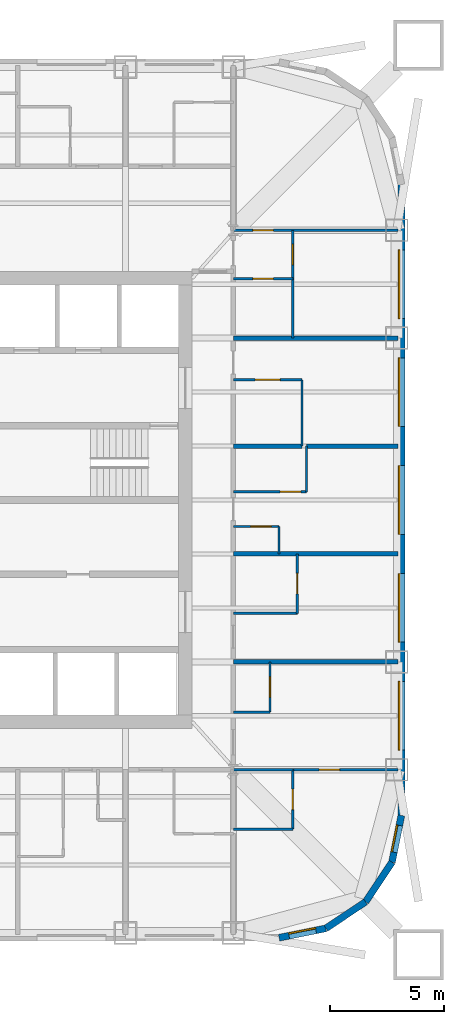
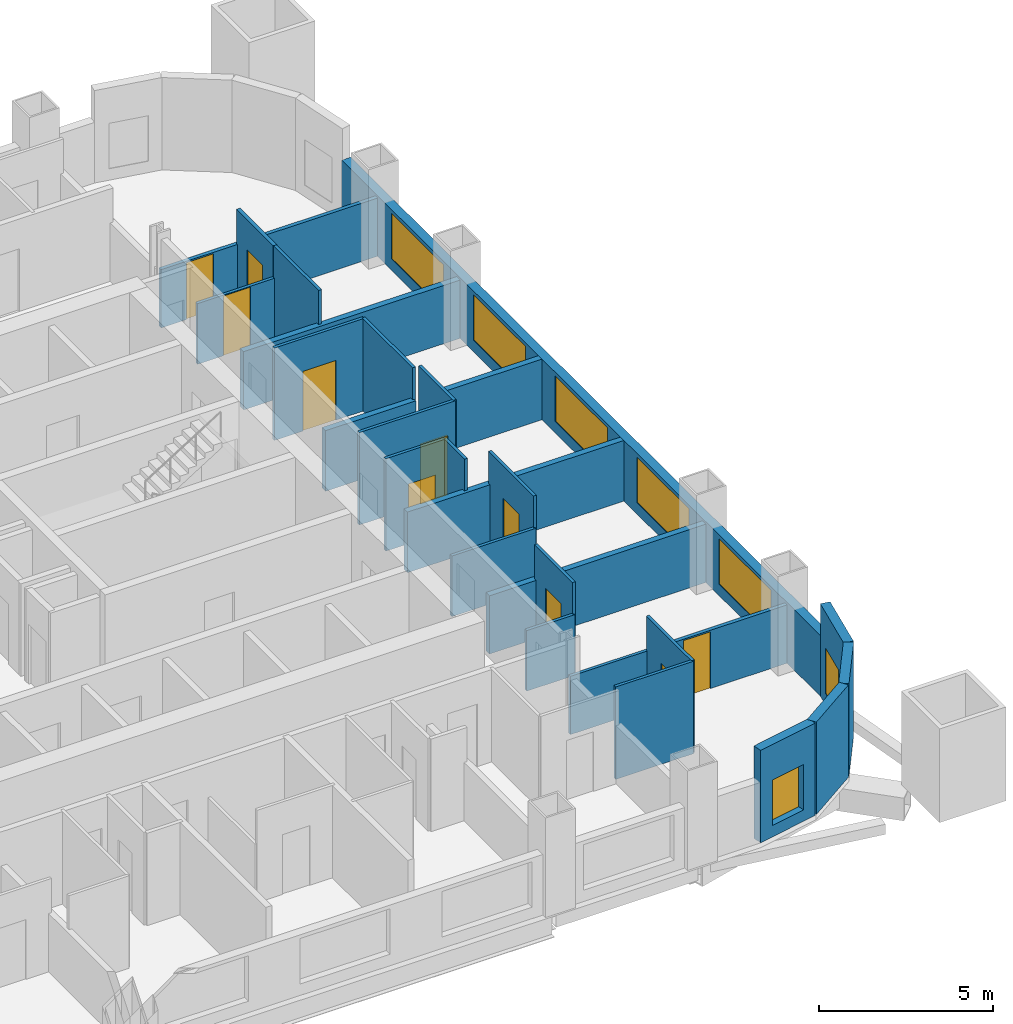
# One storey, part 6 of 9: 28 walls, 10 doors, 7 windows, 17 openings.
"""IFC4 building model written with IfcOpenShell, lengths in metres."""

from ifc_helpers import new_model, si_unit, direction, frame, frame_2d, origin, place, context, subcontext, project, spatial, rectangle, extrude, material, layer, layer_set, type_object, element, fill, save


model = new_model("IFC4")

# Units and contexts
model_context = context("Model", 3, precision=1e-05, world=origin(), true_north=direction((0.0, 1.0)))
body_context = subcontext(model_context, "Body", "Model", "MODEL_VIEW")
ifc_project = project(units=[si_unit("LENGTHUNIT", "METRE"), si_unit("AREAUNIT", "SQUARE_METRE"), si_unit("VOLUMEUNIT", "CUBIC_METRE"), si_unit("PLANEANGLEUNIT", "RADIAN"), si_unit("MASSUNIT", "GRAM", prefix="KILO")], contexts=[model_context])

# Site, building, storey
site_placement = place(None, origin())
site = spatial("IfcSite", under=ifc_project, at=site_placement, CompositionType="ELEMENT")
building_placement = place(site_placement, origin())
building = spatial("IfcBuilding", under=site, at=building_placement, Name="Turquesa Mirador Hotel Tower", CompositionType="ELEMENT")
storey_placement = place(building_placement, frame((0.0, 0.0, 217.800048828125)))
storey = spatial("IfcBuildingStorey", under=building, at=storey_placement, Name="L59", CompositionType="ELEMENT", Elevation=217.800048828125)

# Wall, opening, door
ifc_material_1 = material(Name="Gypsum board on steel studs", Category="steel")
ifc_layer_1 = layer(ifc_material_1, 0.10009765625)
ifc_layer_set_1 = layer_set([ifc_layer_1], Name="BATHROOM WALL 100")
wall_type_1 = type_object("IfcWallType", Name="BATHROOM WALL 100", PredefinedType="PARTITIONING", material=ifc_layer_set_1)
wall_1_placement = place(storey_placement, frame((66.800048828125, 43.840087890625, 0.0), z_axis=(0.0, 0.0, 1.0), x_axis=(1.0, 0.0, 0.0)))
wall_1 = element("IfcWall", 1, at=wall_1_placement, inside=storey, type_object=wall_type_1, Name="Partition L59 002", PredefinedType="PARTITIONING", context=body_context, shape_type="SweptSolid", body=[
    extrude(rectangle(XDim=2.0, YDim=0.10009765625, at=frame_2d((1.0, 0.0))), origin(), (0.0, 0.0, 1.0), 3.25),
])
opening_1_placement = place(wall_1_placement, frame((0.75, 0.0, 0.0)))
opening_1 = element("IfcOpeningElement", 2, at=opening_1_placement, cuts=wall_1, Name="Opening D06", PredefinedType="OPENING", context=body_context, shape_type="SweptSolid", body=[
    extrude(rectangle(XDim=0.89990234375, YDim=2.10009765625, at=frame_2d((0.449951171875, 1.050048828125))), frame((0.0, 0.06005859375, 0.0), z_axis=(0.0, -1.0, 0.0), x_axis=(1.0, 0.0, 0.0)), (0.0, 0.0, 1.0), 0.1201171875),
])
ifc_material_2 = material(Name="Laminate door", Category="wood")
door_type_1 = type_object("IfcDoorType", Name="DOOR 900X2100 WC", OperationType="SINGLE_SWING_LEFT", PredefinedType="DOOR", material=ifc_material_2)
door_1_placement = place(opening_1_placement, origin())
door_1 = element("IfcDoor", 3, at=door_1_placement, inside=storey, type_object=door_type_1, Name="Door 5912W", OperationType="SINGLE_SWING_LEFT", OverallHeight=2.10009765625, OverallWidth=0.89990234375, PredefinedType="DOOR", context=body_context, shape_type="SweptSolid", body=[
    extrude(rectangle(XDim=0.89990234375, YDim=2.10009765625, at=frame_2d((0.449951171875, 1.050048828125))), frame((0.0, 0.02490234375, 0.0), z_axis=(0.0, -1.0, 0.0), x_axis=(1.0, 0.0, 0.0)), (0.0, 0.0, 1.0), 0.050048828125),
])
fill(opening_1, door_1)

# Walls
wall_2_placement = place(storey_placement, frame((66.800048828125, 33.199951171875, 0.0), z_axis=(0.0, 0.0, 1.0), x_axis=(1.0, 0.0, 0.0)))
element("IfcWall", 4, at=wall_2_placement, inside=storey, type_object=wall_type_1, Name="Partition L59 004", PredefinedType="PARTITIONING", context=body_context, shape_type="SweptSolid", body=[
    extrude(rectangle(XDim=2.599853515625, YDim=0.10009765625, at=frame_2d((1.2998046875, 0.0))), origin(), (0.0, 0.0, 1.0), 2.050048828125),
])
wall_3_placement = place(storey_placement, frame((66.800048828125, 30.60009765625, 0.0), z_axis=(0.0, 0.0, 1.0), x_axis=(1.0, 0.0, 0.0)))
element("IfcWall", 5, at=wall_3_placement, inside=storey, type_object=wall_type_1, Name="Partition L59 011", PredefinedType="PARTITIONING", context=body_context, shape_type="SweptSolid", body=[
    extrude(rectangle(XDim=2.599853515625, YDim=0.10009765625, at=frame_2d((1.2998046875, 0.0))), origin(), (0.0, 0.0, 1.0), 3.25),
])
wall_4_placement = place(storey_placement, frame((66.800048828125, 40.0400390625, 0.0), z_axis=(0.0, 0.0, 1.0), x_axis=(1.0, 0.0, 0.0)))
element("IfcWall", 6, at=wall_4_placement, inside=storey, type_object=wall_type_1, Name="Partition L59 020", PredefinedType="PARTITIONING", context=body_context, shape_type="SweptSolid", body=[
    extrude(rectangle(XDim=2.800048828125, YDim=0.10009765625, at=frame_2d((1.39990234375, 0.0))), origin(), (0.0, 0.0, 1.0), 2.13232421875),
])
wall_5_placement = place(storey_placement, frame((66.800048828125, 35.719970703125, 0.0), z_axis=(0.0, 0.0, 1.0), x_axis=(1.0, 0.0, 0.0)))
element("IfcWall", 7, at=wall_5_placement, inside=storey, type_object=wall_type_1, Name="Partition L59 025", PredefinedType="PARTITIONING", context=body_context, shape_type="SweptSolid", body=[
    extrude(rectangle(XDim=1.599853515625, YDim=0.10009765625, at=frame_2d((0.7998046875, 0.0))), origin(), (0.0, 0.0, 1.0), 2.13232421875),
])

# Wall, opening, door
wall_6_placement = place(storey_placement, frame((66.800048828125, 45.360107421875, 0.0), z_axis=(0.0, 0.0, 1.0), x_axis=(1.0, 0.0, 0.0)))
wall_6 = element("IfcWall", 8, at=wall_6_placement, inside=storey, type_object=wall_type_1, Name="Partition L59 027", PredefinedType="PARTITIONING", context=body_context, shape_type="SweptSolid", body=[
    extrude(rectangle(XDim=3.199951171875, YDim=0.10009765625, at=frame_2d((1.60009765625, 0.0))), origin(), (0.0, 0.0, 1.0), 3.25),
])
opening_2_placement = place(wall_6_placement, frame((2.050048828125, 0.0, 0.0)))
opening_2 = element("IfcOpeningElement", 9, at=opening_2_placement, cuts=wall_6, Name="Opening D02", PredefinedType="OPENING", context=body_context, shape_type="SweptSolid", body=[
    extrude(rectangle(XDim=0.89990234375, YDim=2.10009765625, at=frame_2d((0.449951171875, 1.050048828125))), frame((0.0, 0.06005859375, 0.0), z_axis=(0.0, -1.0, 0.0), x_axis=(1.0, 0.0, 0.0)), (0.0, 0.0, 1.0), 0.1201171875),
])
ifc_material_3 = material(Name="Timber veneered door", Category="wood")
door_type_2 = type_object("IfcDoorType", Name="DOOR 900X2100 EN-SUITE", OperationType="SINGLE_SWING_RIGHT", PredefinedType="DOOR", material=ifc_material_3)
door_2_placement = place(opening_2_placement, origin())
door_2 = element("IfcDoor", 10, at=door_2_placement, inside=storey, type_object=door_type_2, Name="Door 5912B", OperationType="SINGLE_SWING_RIGHT", OverallHeight=2.10009765625, OverallWidth=0.89990234375, PredefinedType="DOOR", context=body_context, shape_type="SweptSolid", body=[
    extrude(rectangle(XDim=0.89990234375, YDim=2.10009765625, at=frame_2d((0.449951171875, 1.050048828125))), frame((0.0, 0.02490234375, 0.0), z_axis=(0.0, -1.0, 0.0), x_axis=(1.0, 0.0, 0.0)), (0.0, 0.0, 1.0), 0.050048828125),
])
fill(opening_2, door_2)

wall_7_placement = place(storey_placement, frame((66.800048828125, 50.260009765625, 0.0), z_axis=(0.0, 0.0, 1.0), x_axis=(1.0, 0.0, 0.0)))
wall_7 = element("IfcWall", 11, at=wall_7_placement, inside=storey, type_object=wall_type_1, Name="Partition L59 045", PredefinedType="PARTITIONING", context=body_context, shape_type="SweptSolid", body=[
    extrude(rectangle(XDim=3.0, YDim=0.10009765625, at=frame_2d((1.5, 0.0))), origin(), (0.0, 0.0, 1.0), 3.25),
])
opening_3_placement = place(wall_7_placement, frame((0.949951171875, 0.0, 0.0)))
opening_3 = element("IfcOpeningElement", 12, at=opening_3_placement, cuts=wall_7, Name="Opening D16", PredefinedType="OPENING", context=body_context, shape_type="SweptSolid", body=[
    extrude(rectangle(XDim=1.10009765625, YDim=2.10009765625, at=frame_2d((0.550048828125, 1.050048828125))), frame((0.0, 0.06005859375, 0.0), z_axis=(0.0, -1.0, 0.0), x_axis=(1.0, 0.0, 0.0)), (0.0, 0.0, 1.0), 0.1201171875),
])
ifc_material_4 = material(Name="Timber veneered sliding door", Category="wood")
door_type_3 = type_object("IfcDoorType", Name="DOOR 1100X2100 ACCESSIBLE EN-SUITE", OperationType="SLIDING_TO_LEFT", PredefinedType="DOOR", material=ifc_material_4)
door_3_placement = place(opening_3_placement, origin())
door_3 = element("IfcDoor", 13, at=door_3_placement, inside=storey, type_object=door_type_3, Name="Door 5913B", OperationType="SLIDING_TO_LEFT", OverallHeight=2.10009765625, OverallWidth=1.10009765625, PredefinedType="DOOR", context=body_context, shape_type="SweptSolid", body=[
    extrude(rectangle(XDim=1.10009765625, YDim=2.10009765625, at=frame_2d((0.550048828125, 1.050048828125))), frame((0.0, 0.02490234375, 0.0), z_axis=(0.0, -1.0, 0.0), x_axis=(1.0, 0.0, 0.0)), (0.0, 0.0, 1.0), 0.050048828125),
])
fill(opening_3, door_3)

wall_8_placement = place(storey_placement, frame((66.800048828125, 54.679931640625, 0.0), z_axis=(0.0, 0.0, 1.0), x_axis=(1.0, 0.0, 0.0)))
wall_8 = element("IfcWall", 14, at=wall_8_placement, inside=storey, type_object=wall_type_1, Name="Partition L59 052", PredefinedType="PARTITIONING", context=body_context, shape_type="SweptSolid", body=[
    extrude(rectangle(XDim=2.599853515625, YDim=0.10009765625, at=frame_2d((1.2998046875, 0.0))), origin(), (0.0, 0.0, 1.0), 2.13232421875),
])
opening_4_placement = place(wall_8_placement, frame((0.85009765625, 0.0, 0.0)))
opening_4 = element("IfcOpeningElement", 15, at=opening_4_placement, cuts=wall_8, Name="Opening D02", PredefinedType="OPENING", context=body_context, shape_type="SweptSolid", body=[
    extrude(rectangle(XDim=0.89990234375, YDim=2.10009765625, at=frame_2d((0.449951171875, 1.050048828125))), frame((0.0, 0.06005859375, 0.0), z_axis=(0.0, -1.0, 0.0), x_axis=(1.0, 0.0, 0.0)), (0.0, 0.0, 1.0), 0.1201171875),
])
door_4_placement = place(opening_4_placement, origin())
door_4 = element("IfcDoor", 16, at=door_4_placement, inside=storey, type_object=door_type_2, Name="Door 5917B", OperationType="SINGLE_SWING_RIGHT", OverallHeight=2.10009765625, OverallWidth=0.89990234375, PredefinedType="DOOR", context=body_context, shape_type="SweptSolid", body=[
    extrude(rectangle(XDim=0.89990234375, YDim=2.10009765625, at=frame_2d((0.449951171875, 1.050048828125))), frame((0.0, 0.02490234375, 0.0), z_axis=(0.0, -1.0, 0.0), x_axis=(1.0, 0.0, 0.0)), (0.0, 0.0, 1.0), 0.050048828125),
])
fill(opening_4, door_4)

wall_9_placement = place(storey_placement, frame((68.39990234375, 35.719970703125, 0.0), z_axis=(0.0, 0.0, 1.0), x_axis=(0.0, 1.0, 0.0)))
wall_9 = element("IfcWall", 17, at=wall_9_placement, inside=storey, type_object=wall_type_1, Name="Partition L59 085", PredefinedType="PARTITIONING", context=body_context, shape_type="SweptSolid", body=[
    extrude(rectangle(XDim=2.199951171875, YDim=0.10009765625, at=frame_2d((1.10009765625, 0.0))), origin(), (0.0, 0.0, 1.0), 3.25),
])
opening_5_placement = place(wall_9_placement, frame((0.64990234375, 0.0, 0.0)))
opening_5 = element("IfcOpeningElement", 18, at=opening_5_placement, cuts=wall_9, Name="Opening D06", PredefinedType="OPENING", context=body_context, shape_type="SweptSolid", body=[
    extrude(rectangle(XDim=0.89990234375, YDim=2.10009765625, at=frame_2d((0.449951171875, 1.050048828125))), frame((0.0, 0.06005859375, 0.0), z_axis=(0.0, -1.0, 0.0), x_axis=(1.0, 0.0, 0.0)), (0.0, 0.0, 1.0), 0.1201171875),
])
door_5_placement = place(opening_5_placement, origin())
door_5 = element("IfcDoor", 19, at=door_5_placement, inside=storey, type_object=door_type_1, Name="Door 5920W", OperationType="SINGLE_SWING_LEFT", OverallHeight=2.10009765625, OverallWidth=0.89990234375, PredefinedType="DOOR", context=body_context, shape_type="SweptSolid", body=[
    extrude(rectangle(XDim=0.89990234375, YDim=2.10009765625, at=frame_2d((0.449951171875, 1.050048828125))), frame((0.0, 0.02490234375, 0.0), z_axis=(0.0, -1.0, 0.0), x_axis=(1.0, 0.0, 0.0)), (0.0, 0.0, 1.0), 0.050048828125),
])
fill(opening_5, door_5)

# Wall
wall_10_placement = place(storey_placement, frame((68.800048828125, 42.639892578125, 0.0), z_axis=(0.0, 0.0, 1.0), x_axis=(0.0, 1.0, 0.0)))
element("IfcWall", 20, at=wall_10_placement, inside=storey, type_object=wall_type_1, Name="Partition L59 086", PredefinedType="PARTITIONING", context=body_context, shape_type="SweptSolid", body=[
    extrude(rectangle(XDim=1.2001953125, YDim=0.10009765625, at=frame_2d((0.60009765625, 0.0))), origin(), (0.0, 0.0, 1.0), 3.25),
])

# Wall, opening, door
wall_11_placement = place(storey_placement, frame((69.39990234375, 30.60009765625, 0.0), z_axis=(0.0, 0.0, 1.0), x_axis=(0.0, 1.0, 0.0)))
wall_11 = element("IfcWall", 21, at=wall_11_placement, inside=storey, type_object=wall_type_1, Name="Partition L59 087", PredefinedType="PARTITIONING", context=body_context, shape_type="SweptSolid", body=[
    extrude(rectangle(XDim=2.599853515625, YDim=0.10009765625, at=frame_2d((1.2998046875, 0.0))), origin(), (0.0, 0.0, 1.0), 3.25),
])
opening_6_placement = place(wall_11_placement, frame((0.85009765625, 0.0, 0.0)))
opening_6 = element("IfcOpeningElement", 22, at=opening_6_placement, cuts=wall_11, Name="Opening D02", PredefinedType="OPENING", context=body_context, shape_type="SweptSolid", body=[
    extrude(rectangle(XDim=0.89990234375, YDim=2.10009765625, at=frame_2d((0.449951171875, 1.050048828125))), frame((0.0, 0.06005859375, 0.0), z_axis=(0.0, -1.0, 0.0), x_axis=(1.0, 0.0, 0.0)), (0.0, 0.0, 1.0), 0.1201171875),
])
door_6_placement = place(opening_6_placement, origin())
door_6 = element("IfcDoor", 23, at=door_6_placement, inside=storey, type_object=door_type_2, Name="Door 5920B", OperationType="SINGLE_SWING_RIGHT", OverallHeight=2.10009765625, OverallWidth=0.89990234375, PredefinedType="DOOR", context=body_context, shape_type="SweptSolid", body=[
    extrude(rectangle(XDim=0.89990234375, YDim=2.10009765625, at=frame_2d((0.449951171875, 1.050048828125))), frame((0.0, 0.02490234375, 0.0), z_axis=(0.0, -1.0, 0.0), x_axis=(1.0, 0.0, 0.0)), (0.0, 0.0, 1.0), 0.050048828125),
])
fill(opening_6, door_6)

# Wall
wall_12_placement = place(storey_placement, frame((69.39990234375, 52.080078125, 0.0), z_axis=(0.0, 0.0, 1.0), x_axis=(0.0, 1.0, 0.0)))
element("IfcWall", 24, at=wall_12_placement, inside=storey, type_object=wall_type_1, Name="Partition L59 088", PredefinedType="PARTITIONING", context=body_context, shape_type="SweptSolid", body=[
    extrude(rectangle(XDim=2.599853515625, YDim=0.10009765625, at=frame_2d((1.2998046875, 0.0))), origin(), (0.0, 0.0, 1.0), 3.25),
])

# Wall, opening, door
wall_13_placement = place(storey_placement, frame((69.60009765625, 40.0400390625, 0.0), z_axis=(0.0, 0.0, 1.0), x_axis=(0.0, 1.0, 0.0)))
wall_13 = element("IfcWall", 25, at=wall_13_placement, inside=storey, type_object=wall_type_1, Name="Partition L59 090", PredefinedType="PARTITIONING", context=body_context, shape_type="SweptSolid", body=[
    extrude(rectangle(XDim=2.599853515625, YDim=0.10009765625, at=frame_2d((1.2998046875, 0.0))), origin(), (0.0, 0.0, 1.0), 3.25),
])
opening_7_placement = place(wall_13_placement, frame((0.85009765625, 0.0, 0.0)))
opening_7 = element("IfcOpeningElement", 26, at=opening_7_placement, cuts=wall_13, Name="Opening D02", PredefinedType="OPENING", context=body_context, shape_type="SweptSolid", body=[
    extrude(rectangle(XDim=0.89990234375, YDim=2.10009765625, at=frame_2d((0.449951171875, 1.050048828125))), frame((0.0, 0.06005859375, 0.0), z_axis=(0.0, -1.0, 0.0), x_axis=(1.0, 0.0, 0.0)), (0.0, 0.0, 1.0), 0.1201171875),
])
door_7_placement = place(opening_7_placement, origin())
door_7 = element("IfcDoor", 27, at=door_7_placement, inside=storey, type_object=door_type_2, Name="Door 5911B", OperationType="SINGLE_SWING_RIGHT", OverallHeight=2.10009765625, OverallWidth=0.89990234375, PredefinedType="DOOR", context=body_context, shape_type="SweptSolid", body=[
    extrude(rectangle(XDim=0.89990234375, YDim=2.10009765625, at=frame_2d((0.449951171875, 1.050048828125))), frame((0.0, 0.02490234375, 0.0), z_axis=(0.0, -1.0, 0.0), x_axis=(1.0, 0.0, 0.0)), (0.0, 0.0, 1.0), 0.050048828125),
])
fill(opening_7, door_7)

# Walls
wall_14_placement = place(storey_placement, frame((69.800048828125, 47.360107421875, 0.0), z_axis=(0.0, 0.0, 1.0), x_axis=(0.0, 1.0, 0.0)))
element("IfcWall", 28, at=wall_14_placement, inside=storey, type_object=wall_type_1, Name="Partition L59 091", PredefinedType="PARTITIONING", context=body_context, shape_type="SweptSolid", body=[
    extrude(rectangle(XDim=2.89990234375, YDim=0.10009765625, at=frame_2d((1.449951171875, 0.0))), origin(), (0.0, 0.0, 1.0), 3.25),
])
wall_15_placement = place(storey_placement, frame((70.0, 45.360107421875, 0.0), z_axis=(0.0, 0.0, 1.0), x_axis=(0.0, 1.0, 0.0)))
element("IfcWall", 29, at=wall_15_placement, inside=storey, type_object=wall_type_1, Name="Partition L59 092", PredefinedType="PARTITIONING", context=body_context, shape_type="SweptSolid", body=[
    extrude(rectangle(XDim=2.0, YDim=0.10009765625, at=frame_2d((1.0, 0.0))), origin(), (0.0, 0.0, 1.0), 3.25),
])

# Wall, opening, window
ifc_material_5 = material(Name="Limestone cladding on concrete block", Category="masonry")
ifc_layer_2 = layer(ifc_material_5, 0.300048828125)
ifc_layer_set_2 = layer_set([ifc_layer_2], Name="FACADE WALL 300 STONE SCREEN")
wall_type_2 = type_object("IfcWallType", Name="FACADE WALL 300 STONE SCREEN", PredefinedType="SOLIDWALL", material=ifc_layer_set_2)
wall_16_placement = place(storey_placement, frame((68.800048828125, 25.85009765625, 0.0), z_axis=(0.0, 0.0, 1.0), x_axis=(0.980787050784, 0.195081421501, 0.0)))
wall_16 = element("IfcWall", 30, at=wall_16_placement, inside=storey, type_object=wall_type_2, Name="Facade wall L59 00", PredefinedType="SOLIDWALL", context=body_context, shape_type="SweptSolid", body=[
    extrude(rectangle(XDim=2.08740234375, YDim=0.300048828125, at=frame_2d((1.043701171875, 0.0))), origin(), (0.0, 0.0, 1.0), 3.25),
])
opening_8_placement = place(wall_16_placement, frame((0.443603515625, 0.0, 0.39990234375)))
opening_8 = element("IfcOpeningElement", 31, at=opening_8_placement, cuts=wall_16, Name="Opening WN8", PredefinedType="OPENING", context=body_context, shape_type="SweptSolid", body=[
    extrude(rectangle(XDim=1.199951171875, YDim=1.60009765625, at=frame_2d((0.60009765625, 0.800048828125))), frame((0.0, 0.159912109375, 0.0), z_axis=(0.0, -1.0, 0.0), x_axis=(1.0, 0.0, 0.0)), (0.0, 0.0, 1.0), 0.320068359375),
])
ifc_material_6 = material(Name="Ceramic-fritted laminated glass", Category="glass")
window_type_1 = type_object("IfcWindowType", Name="FRITTED CORNER WINDOW 1200X1600", PartitioningType="DOUBLE_PANEL_HORIZONTAL", PredefinedType="WINDOW", material=ifc_material_6)
window_1_placement = place(opening_8_placement, origin())
window_1 = element("IfcWindow", 32, at=window_1_placement, inside=storey, type_object=window_type_1, Name="Window L59", OverallHeight=1.60009765625, OverallWidth=1.199951171875, PartitioningType="SINGLE_PANEL", PredefinedType="WINDOW", context=body_context, shape_type="SweptSolid", body=[
    extrude(rectangle(XDim=1.199951171875, YDim=1.60009765625, at=frame_2d((0.60009765625, 0.800048828125))), frame((0.0, 0.130126953125, 0.0), z_axis=(0.0, -1.0, 0.0), x_axis=(1.0, 0.0, 0.0)), (0.0, 0.0, 1.0), 0.06005859375),
])
fill(opening_8, window_1)

# Walls
for number, where, z_axis, x_axis, name in (
    (33, (70.847412109375, 26.25732421875, 0.0), (0.0, 0.0, 1.0), (0.831474039234, 0.555563607591, 0.0), "Facade wall L59 01"),
    (34, (72.5830078125, 27.4169921875, 0.0), (0.0, 0.0, 1.0), (0.555563607591, 0.831474039234, 0.0), "Facade wall L59 02"),
):
    element("IfcWall", number, at=place(storey_placement, frame(where, z_axis=z_axis, x_axis=x_axis)), inside=storey, type_object=wall_type_2, Name=name, PredefinedType="SOLIDWALL", context=body_context, shape_type="SweptSolid", body=[
        extrude(rectangle(XDim=2.08740234375, YDim=0.300048828125, at=frame_2d((1.043701171875, 0.0))), origin(), (0.0, 0.0, 1.0), 3.25),
    ])

# Wall, opening, window
wall_17_placement = place(storey_placement, frame((73.74267578125, 29.152587890625, 0.0), z_axis=(0.0, 0.0, 1.0), x_axis=(0.195081421501, 0.980787050784, 0.0)))
wall_17 = element("IfcWall", 35, at=wall_17_placement, inside=storey, type_object=wall_type_2, Name="Facade wall L59 03", PredefinedType="SOLIDWALL", context=body_context, shape_type="SweptSolid", body=[
    extrude(rectangle(XDim=2.08740234375, YDim=0.300048828125, at=frame_2d((1.043701171875, 0.0))), origin(), (0.0, 0.0, 1.0), 3.25),
])
opening_9_placement = place(wall_17_placement, frame((0.443603515625, 0.0, 0.39990234375)))
opening_9 = element("IfcOpeningElement", 36, at=opening_9_placement, cuts=wall_17, Name="Opening WN8", PredefinedType="OPENING", context=body_context, shape_type="SweptSolid", body=[
    extrude(rectangle(XDim=1.199951171875, YDim=1.60009765625, at=frame_2d((0.60009765625, 0.800048828125))), frame((0.0, 0.159912109375, 0.0), z_axis=(0.0, -1.0, 0.0), x_axis=(1.0, 0.0, 0.0)), (0.0, 0.0, 1.0), 0.320068359375),
])
window_2_placement = place(opening_9_placement, origin())
window_2 = element("IfcWindow", 37, at=window_2_placement, inside=storey, type_object=window_type_1, Name="Window L59", OverallHeight=1.60009765625, OverallWidth=1.199951171875, PartitioningType="SINGLE_PANEL", PredefinedType="WINDOW", context=body_context, shape_type="SweptSolid", body=[
    extrude(rectangle(XDim=1.199951171875, YDim=1.60009765625, at=frame_2d((0.60009765625, 0.800048828125))), frame((0.0, 0.130126953125, 0.0), z_axis=(0.0, -1.0, 0.0), x_axis=(1.0, 0.0, 0.0)), (0.0, 0.0, 1.0), 0.06005859375),
])
fill(opening_9, window_2)

# Wall, openings, windows
wall_18_placement = place(storey_placement, frame((74.14990234375, 31.199951171875, 0.0), z_axis=(0.0, 0.0, 1.0), x_axis=(0.0, 1.0, 0.0)))
wall_18 = element("IfcWall", 38, at=wall_18_placement, inside=storey, type_object=wall_type_2, Name="Facade wall L59 04", PredefinedType="SOLIDWALL", context=body_context, shape_type="SweptSolid", body=[
    extrude(rectangle(XDim=27.60009765625, YDim=0.300048828125, at=frame_2d((13.800048828125, 0.0))), origin(), (0.0, 0.0, 1.0), 2.13232421875),
])
opening_10_placement = place(wall_18_placement, frame((2.860107421875, 0.0, 0.39990234375)))
opening_10 = element("IfcOpeningElement", 39, at=opening_10_placement, cuts=wall_18, Name="Opening WN7", PredefinedType="OPENING", context=body_context, shape_type="SweptSolid", body=[
    extrude(rectangle(XDim=3.0, YDim=1.60009765625, at=frame_2d((1.5, 0.800048828125))), frame((0.0, 0.159912109375, 0.0), z_axis=(0.0, -1.0, 0.0), x_axis=(1.0, 0.0, 0.0)), (0.0, 0.0, 1.0), 0.320068359375),
])
opening_11_placement = place(wall_18_placement, frame((7.580078125, 0.0, 0.39990234375)))
opening_11 = element("IfcOpeningElement", 40, at=opening_11_placement, cuts=wall_18, Name="Opening WN7", PredefinedType="OPENING", context=body_context, shape_type="SweptSolid", body=[
    extrude(rectangle(XDim=3.0, YDim=1.60009765625, at=frame_2d((1.5, 0.800048828125))), frame((0.0, 0.159912109375, 0.0), z_axis=(0.0, -1.0, 0.0), x_axis=(1.0, 0.0, 0.0)), (0.0, 0.0, 1.0), 0.320068359375),
])
opening_12_placement = place(wall_18_placement, frame((12.300048828125, 0.0, 0.39990234375)))
opening_12 = element("IfcOpeningElement", 41, at=opening_12_placement, cuts=wall_18, Name="Opening WN7", PredefinedType="OPENING", context=body_context, shape_type="SweptSolid", body=[
    extrude(rectangle(XDim=3.0, YDim=1.60009765625, at=frame_2d((1.5, 0.800048828125))), frame((0.0, 0.159912109375, 0.0), z_axis=(0.0, -1.0, 0.0), x_axis=(1.0, 0.0, 0.0)), (0.0, 0.0, 1.0), 0.320068359375),
])
opening_13_placement = place(wall_18_placement, frame((17.02001953125, 0.0, 0.39990234375)))
opening_13 = element("IfcOpeningElement", 42, at=opening_13_placement, cuts=wall_18, Name="Opening WN7", PredefinedType="OPENING", context=body_context, shape_type="SweptSolid", body=[
    extrude(rectangle(XDim=3.0, YDim=1.60009765625, at=frame_2d((1.5, 0.800048828125))), frame((0.0, 0.159912109375, 0.0), z_axis=(0.0, -1.0, 0.0), x_axis=(1.0, 0.0, 0.0)), (0.0, 0.0, 1.0), 0.320068359375),
])
opening_14_placement = place(wall_18_placement, frame((21.739990234375, 0.0, 0.39990234375)))
opening_14 = element("IfcOpeningElement", 43, at=opening_14_placement, cuts=wall_18, Name="Opening WN7", PredefinedType="OPENING", context=body_context, shape_type="SweptSolid", body=[
    extrude(rectangle(XDim=3.0, YDim=1.60009765625, at=frame_2d((1.5, 0.800048828125))), frame((0.0, 0.159912109375, 0.0), z_axis=(0.0, -1.0, 0.0), x_axis=(1.0, 0.0, 0.0)), (0.0, 0.0, 1.0), 0.320068359375),
])
ifc_material_7 = material(Name="Ceramic-fritted laminated glass", Category="glass")
window_type_2 = type_object("IfcWindowType", Name="FRITTED WINDOW 3000X1600", PartitioningType="DOUBLE_PANEL_HORIZONTAL", PredefinedType="WINDOW", material=ifc_material_7)
window_3_placement = place(opening_10_placement, origin())
window_3 = element("IfcWindow", 44, at=window_3_placement, inside=storey, type_object=window_type_2, Name="Window L59", OverallHeight=1.60009765625, OverallWidth=3.0, PartitioningType="SINGLE_PANEL", PredefinedType="WINDOW", context=body_context, shape_type="SweptSolid", body=[
    extrude(rectangle(XDim=3.0, YDim=1.60009765625, at=frame_2d((1.5, 0.800048828125))), frame((0.0, 0.130126953125, 0.0), z_axis=(0.0, -1.0, 0.0), x_axis=(1.0, 0.0, 0.0)), (0.0, 0.0, 1.0), 0.06005859375),
])
fill(opening_10, window_3)
window_4_placement = place(opening_11_placement, origin())
window_4 = element("IfcWindow", 45, at=window_4_placement, inside=storey, type_object=window_type_2, Name="Window L59", OverallHeight=1.60009765625, OverallWidth=3.0, PartitioningType="SINGLE_PANEL", PredefinedType="WINDOW", context=body_context, shape_type="SweptSolid", body=[
    extrude(rectangle(XDim=3.0, YDim=1.60009765625, at=frame_2d((1.5, 0.800048828125))), frame((0.0, 0.130126953125, 0.0), z_axis=(0.0, -1.0, 0.0), x_axis=(1.0, 0.0, 0.0)), (0.0, 0.0, 1.0), 0.06005859375),
])
fill(opening_11, window_4)
window_5_placement = place(opening_12_placement, origin())
window_5 = element("IfcWindow", 46, at=window_5_placement, inside=storey, type_object=window_type_2, Name="Window L59", OverallHeight=1.60009765625, OverallWidth=3.0, PartitioningType="SINGLE_PANEL", PredefinedType="WINDOW", context=body_context, shape_type="SweptSolid", body=[
    extrude(rectangle(XDim=3.0, YDim=1.60009765625, at=frame_2d((1.5, 0.800048828125))), frame((0.0, 0.130126953125, 0.0), z_axis=(0.0, -1.0, 0.0), x_axis=(1.0, 0.0, 0.0)), (0.0, 0.0, 1.0), 0.06005859375),
])
fill(opening_12, window_5)
window_6_placement = place(opening_13_placement, origin())
window_6 = element("IfcWindow", 47, at=window_6_placement, inside=storey, type_object=window_type_2, Name="Window L59", OverallHeight=1.60009765625, OverallWidth=3.0, PartitioningType="SINGLE_PANEL", PredefinedType="WINDOW", context=body_context, shape_type="SweptSolid", body=[
    extrude(rectangle(XDim=3.0, YDim=1.60009765625, at=frame_2d((1.5, 0.800048828125))), frame((0.0, 0.130126953125, 0.0), z_axis=(0.0, -1.0, 0.0), x_axis=(1.0, 0.0, 0.0)), (0.0, 0.0, 1.0), 0.06005859375),
])
fill(opening_13, window_6)
window_7_placement = place(opening_14_placement, origin())
window_7 = element("IfcWindow", 48, at=window_7_placement, inside=storey, type_object=window_type_2, Name="Window L59", OverallHeight=1.60009765625, OverallWidth=3.0, PartitioningType="SINGLE_PANEL", PredefinedType="WINDOW", context=body_context, shape_type="SweptSolid", body=[
    extrude(rectangle(XDim=3.0, YDim=1.60009765625, at=frame_2d((1.5, 0.800048828125))), frame((0.0, 0.130126953125, 0.0), z_axis=(0.0, -1.0, 0.0), x_axis=(1.0, 0.0, 0.0)), (0.0, 0.0, 1.0), 0.06005859375),
])
fill(opening_14, window_7)

# Walls
ifc_material_8 = material(Name="Fire-rated gypsum board on steel studs", Category="steel")
ifc_layer_3 = layer(ifc_material_8, 0.199951171875)
ifc_layer_set_3 = layer_set([ifc_layer_3], Name="PARTY WALL 200")
wall_type_3 = type_object("IfcWallType", Name="PARTY WALL 200", PredefinedType="PARTITIONING", material=ifc_layer_set_3)
wall_19_placement = place(storey_placement, frame((66.800048828125, 42.639892578125, 0.0), z_axis=(0.0, 0.0, 1.0), x_axis=(1.0, 0.0, 0.0)))
element("IfcWall", 49, at=wall_19_placement, inside=storey, type_object=wall_type_3, Name="Partition L59 018", PredefinedType="PARTITIONING", context=body_context, shape_type="SweptSolid", body=[
    extrude(rectangle(XDim=7.199951171875, YDim=0.199951171875, at=frame_2d((3.60009765625, 0.0))), origin(), (0.0, 0.0, 1.0), 2.13232421875),
])
wall_20_placement = place(storey_placement, frame((66.800048828125, 37.919921875, 0.0), z_axis=(0.0, 0.0, 1.0), x_axis=(1.0, 0.0, 0.0)))
element("IfcWall", 50, at=wall_20_placement, inside=storey, type_object=wall_type_3, Name="Partition L59 023", PredefinedType="PARTITIONING", context=body_context, shape_type="SweptSolid", body=[
    extrude(rectangle(XDim=7.199951171875, YDim=0.199951171875, at=frame_2d((3.60009765625, 0.0))), origin(), (0.0, 0.0, 1.0), 2.050048828125),
])
wall_21_placement = place(storey_placement, frame((66.800048828125, 47.360107421875, 0.0), z_axis=(0.0, 0.0, 1.0), x_axis=(1.0, 0.0, 0.0)))
element("IfcWall", 51, at=wall_21_placement, inside=storey, type_object=wall_type_3, Name="Partition L59 042", PredefinedType="PARTITIONING", context=body_context, shape_type="SweptSolid", body=[
    extrude(rectangle(XDim=3.0, YDim=0.199951171875, at=frame_2d((1.5, 0.0))), origin(), (0.0, 0.0, 1.0), 2.13232421875),
])
wall_22_placement = place(storey_placement, frame((70.0, 47.360107421875, 0.0), z_axis=(0.0, 0.0, 1.0), x_axis=(1.0, 0.0, 0.0)))
element("IfcWall", 52, at=wall_22_placement, inside=storey, type_object=wall_type_3, Name="Partition L59 043", PredefinedType="PARTITIONING", context=body_context, shape_type="SweptSolid", body=[
    extrude(rectangle(XDim=4.0, YDim=0.199951171875, at=frame_2d((2.0, 0.0))), origin(), (0.0, 0.0, 1.0), 2.13232421875),
])
wall_23_placement = place(storey_placement, frame((66.800048828125, 52.080078125, 0.0), z_axis=(0.0, 0.0, 1.0), x_axis=(1.0, 0.0, 0.0)))
element("IfcWall", 53, at=wall_23_placement, inside=storey, type_object=wall_type_3, Name="Partition L59 050", PredefinedType="PARTITIONING", context=body_context, shape_type="SweptSolid", body=[
    extrude(rectangle(XDim=7.199951171875, YDim=0.199951171875, at=frame_2d((3.60009765625, 0.0))), origin(), (0.0, 0.0, 1.0), 2.050048828125),
])

# Wall, opening, door
ifc_material_9 = material(Name="Acoustic gypsum board on steel studs", Category="steel")
ifc_layer_4 = layer(ifc_material_9, 0.125)
ifc_layer_set_4 = layer_set([ifc_layer_4], Name="SUITE PARTITION 125")
wall_type_4 = type_object("IfcWallType", Name="SUITE PARTITION 125", PredefinedType="PARTITIONING", material=ifc_layer_set_4)
wall_24_placement = place(storey_placement, frame((69.39990234375, 33.199951171875, 0.0), z_axis=(0.0, 0.0, 1.0), x_axis=(1.0, 0.0, 0.0)))
wall_24 = element("IfcWall", 54, at=wall_24_placement, inside=storey, type_object=wall_type_4, Name="Partition L59 007", PredefinedType="PARTITIONING", context=body_context, shape_type="SweptSolid", body=[
    extrude(rectangle(XDim=4.60009765625, YDim=0.125, at=frame_2d((2.300048828125, 0.0))), origin(), (0.0, 0.0, 1.0), 2.050048828125),
])
opening_15_placement = place(wall_24_placement, frame((1.14990234375, 0.0, 0.0)))
opening_15 = element("IfcOpeningElement", 55, at=opening_15_placement, cuts=wall_24, Name="Opening D24", PredefinedType="OPENING", context=body_context, shape_type="SweptSolid", body=[
    extrude(rectangle(XDim=0.89990234375, YDim=2.0, at=frame_2d((0.449951171875, 1.0))), frame((0.0, 0.072509765625, 0.0), z_axis=(0.0, -1.0, 0.0), x_axis=(1.0, 0.0, 0.0)), (0.0, 0.0, 1.0), 0.14501953125),
])
ifc_material_10 = material(Name="Timber veneered door", Category="wood")
door_type_4 = type_object("IfcDoorType", Name="DOOR 900X2000 SUITE INTERNAL", OperationType="SINGLE_SWING_LEFT", PredefinedType="DOOR", material=ifc_material_10)
door_8_placement = place(opening_15_placement, origin())
door_8 = element("IfcDoor", 56, at=door_8_placement, inside=storey, type_object=door_type_4, Name="Door 5920R", OperationType="SINGLE_SWING_LEFT", OverallHeight=2.0, OverallWidth=0.89990234375, PredefinedType="DOOR", context=body_context, shape_type="SweptSolid", body=[
    extrude(rectangle(XDim=0.89990234375, YDim=2.0, at=frame_2d((0.449951171875, 1.0))), frame((0.0, 0.02490234375, 0.0), z_axis=(0.0, -1.0, 0.0), x_axis=(1.0, 0.0, 0.0)), (0.0, 0.0, 1.0), 0.050048828125),
])
fill(opening_15, door_8)

wall_25_placement = place(storey_placement, frame((66.800048828125, 56.800048828125, 0.0), z_axis=(0.0, 0.0, 1.0), x_axis=(1.0, 0.0, 0.0)))
wall_25 = element("IfcWall", 57, at=wall_25_placement, inside=storey, type_object=wall_type_4, Name="Partition L59 031", PredefinedType="PARTITIONING", context=body_context, shape_type="SweptSolid", body=[
    extrude(rectangle(XDim=7.199951171875, YDim=0.125, at=frame_2d((3.60009765625, 0.0))), origin(), (0.0, 0.0, 1.0), 2.050048828125),
])
opening_16_placement = place(wall_25_placement, frame((0.85009765625, 0.0, 0.0)))
opening_16 = element("IfcOpeningElement", 58, at=opening_16_placement, cuts=wall_25, Name="Opening D24", PredefinedType="OPENING", context=body_context, shape_type="SweptSolid", body=[
    extrude(rectangle(XDim=0.89990234375, YDim=2.0, at=frame_2d((0.449951171875, 1.0))), frame((0.0, 0.072509765625, 0.0), z_axis=(0.0, -1.0, 0.0), x_axis=(1.0, 0.0, 0.0)), (0.0, 0.0, 1.0), 0.14501953125),
])
door_9_placement = place(opening_16_placement, origin())
door_9 = element("IfcDoor", 59, at=door_9_placement, inside=storey, type_object=door_type_4, Name="Door 5917", OperationType="SINGLE_SWING_LEFT", OverallHeight=2.0, OverallWidth=0.89990234375, PredefinedType="DOOR", context=body_context, shape_type="SweptSolid", body=[
    extrude(rectangle(XDim=0.89990234375, YDim=2.0, at=frame_2d((0.449951171875, 1.0))), frame((0.0, 0.02490234375, 0.0), z_axis=(0.0, -1.0, 0.0), x_axis=(1.0, 0.0, 0.0)), (0.0, 0.0, 1.0), 0.050048828125),
])
fill(opening_16, door_9)

wall_26_placement = place(storey_placement, frame((69.39990234375, 54.679931640625, 0.0), z_axis=(0.0, 0.0, 1.0), x_axis=(0.0, 1.0, 0.0)))
wall_26 = element("IfcWall", 60, at=wall_26_placement, inside=storey, type_object=wall_type_4, Name="Partition L59 089", PredefinedType="PARTITIONING", context=body_context, shape_type="SweptSolid", body=[
    extrude(rectangle(XDim=2.1201171875, YDim=0.125, at=frame_2d((1.06005859375, 0.0))), origin(), (0.0, 0.0, 1.0), 3.25),
])
opening_17_placement = place(wall_26_placement, frame((0.610107421875, 0.0, 0.0)))
opening_17 = element("IfcOpeningElement", 61, at=opening_17_placement, cuts=wall_26, Name="Opening D17", PredefinedType="OPENING", context=body_context, shape_type="SweptSolid", body=[
    extrude(rectangle(XDim=0.89990234375, YDim=2.199951171875, at=frame_2d((0.449951171875, 1.10009765625))), frame((0.0, 0.072509765625, 0.0), z_axis=(0.0, -1.0, 0.0), x_axis=(1.0, 0.0, 0.0)), (0.0, 0.0, 1.0), 0.14501953125),
])
ifc_material_11 = material(Name="Timber veneered door", Category="wood")
door_type_5 = type_object("IfcDoorType", Name="DOOR 900X2200 SUITE INTERNAL", OperationType="SINGLE_SWING_LEFT", PredefinedType="DOOR", material=ifc_material_11)
door_10_placement = place(opening_17_placement, origin())
door_10 = element("IfcDoor", 62, at=door_10_placement, inside=storey, type_object=door_type_5, Name="Door 5917R", OperationType="SINGLE_SWING_LEFT", OverallHeight=2.199951171875, OverallWidth=0.89990234375, PredefinedType="DOOR", context=body_context, shape_type="SweptSolid", body=[
    extrude(rectangle(XDim=0.89990234375, YDim=2.199951171875, at=frame_2d((0.449951171875, 1.10009765625))), frame((0.0, 0.02490234375, 0.0), z_axis=(0.0, -1.0, 0.0), x_axis=(1.0, 0.0, 0.0)), (0.0, 0.0, 1.0), 0.050048828125),
])
fill(opening_17, door_10)

save(model, "model.ifc")
